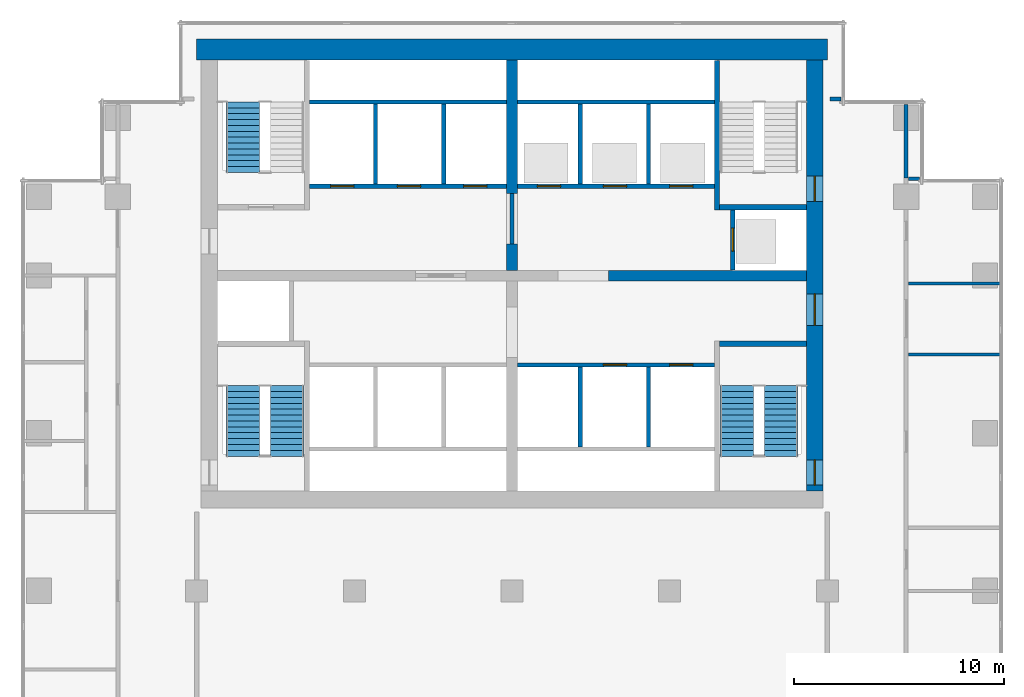
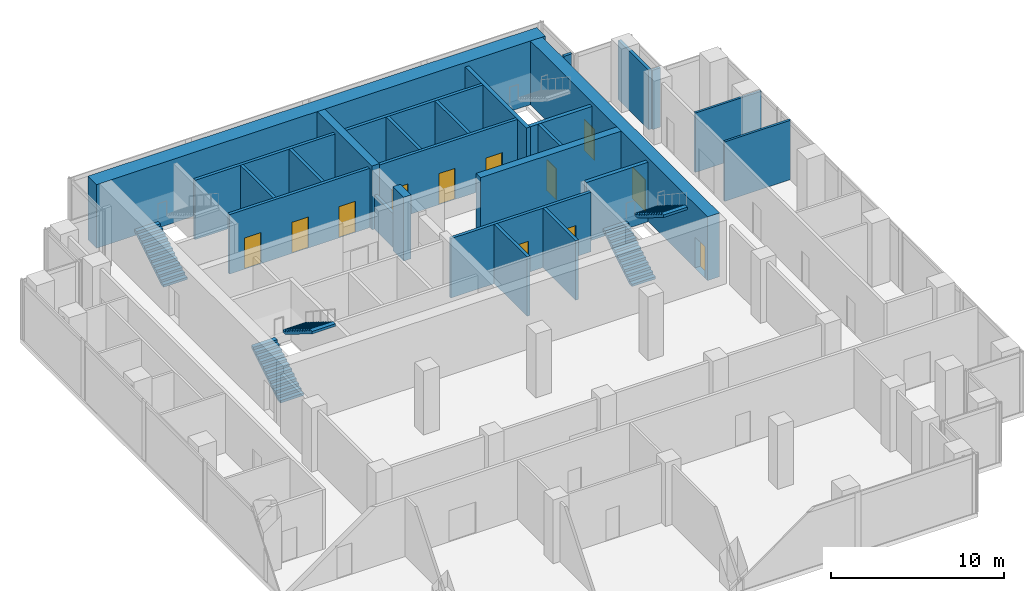
# One storey, part 5 of 8: 26 walls, 12 doors, 5 stair flights, 12 openings, 3 elements without a shape of their own.
"""IFC4 building model written with IfcOpenShell, lengths in metres."""

from ifc_helpers import new_model, si_unit, direction, frame, frame_2d, origin, place, context, subcontext, project, spatial, polyline, rectangle, outline, extrude, material, layer, layer_set, type_object, element, fill, aggregate, save


model = new_model("IFC4")

# Units and contexts
model_context = context("Model", 3, precision=1e-05, world=origin(), true_north=direction((0.0, 1.0)))
body_context = subcontext(model_context, "Body", "Model", "MODEL_VIEW")
ifc_project = project(units=[si_unit("LENGTHUNIT", "METRE"), si_unit("AREAUNIT", "SQUARE_METRE"), si_unit("VOLUMEUNIT", "CUBIC_METRE"), si_unit("PLANEANGLEUNIT", "RADIAN"), si_unit("MASSUNIT", "GRAM", prefix="KILO")], contexts=[model_context])

# Site, building, storey
site_placement = place(None, origin())
site = spatial("IfcSite", under=ifc_project, at=site_placement, CompositionType="ELEMENT")
building_placement = place(site_placement, origin())
building = spatial("IfcBuilding", under=site, at=building_placement, Name="Pilkhan Gate Tower", CompositionType="ELEMENT")
storey_placement = place(building_placement, frame((0.0, 0.0, 143.199951171875)))
storey = spatial("IfcBuildingStorey", under=building, at=storey_placement, Name="L36", CompositionType="ELEMENT", Elevation=143.199951171875)

# Wall
ifc_material_1 = material(Name="Concrete C60/75", Category="concrete")
ifc_layer_1 = layer(ifc_material_1, 1.0)
ifc_layer_set_1 = layer_set([ifc_layer_1], Name="Core wall CW1000 C60/75")
wall_type_1 = type_object("IfcWallType", Name="Core wall CW1000 C60/75", PredefinedType="SHEAR", material=ifc_layer_set_1)
wall_1_placement = place(storey_placement, frame((90.0, 93.25, 0.0), z_axis=(0.0, 0.0, 1.0), x_axis=(-1.0, 0.0, 0.0)))
element("IfcWall", 1, at=wall_1_placement, inside=storey, type_object=wall_type_1, Name="Core wall N L36", PredefinedType="SHEAR", context=body_context, shape_type="SweptSolid", body=[
    extrude(rectangle(XDim=30.0, YDim=1.0, at=frame_2d((15.0, 0.0))), origin(), (0.0, 0.0, 1.0), 4.5),
])

# Wall, openings, doors
ifc_layer_2 = layer(ifc_material_1, 0.800048828125)
ifc_layer_set_2 = layer_set([ifc_layer_2], Name="Core wall CW800 C60/75")
wall_type_2 = type_object("IfcWallType", Name="Core wall CW800 C60/75", PredefinedType="SHEAR", material=ifc_layer_set_2)
wall_2_placement = place(storey_placement, frame((89.39990234375, 72.25, 0.0), z_axis=(0.0, 0.0, 1.0), x_axis=(0.0, 1.0, 0.0)))
wall_2 = element("IfcWall", 2, at=wall_2_placement, inside=storey, type_object=wall_type_2, Name="Core wall E L36", PredefinedType="SHEAR", context=body_context, shape_type="SweptSolid", body=[
    extrude(rectangle(XDim=20.5, YDim=0.800048828125, at=frame_2d((10.25, 0.0))), origin(), (0.0, 0.0, 1.0), 4.5),
])
opening_1_placement = place(wall_2_placement, frame((0.27490234375, 0.0, 0.0)))
opening_1 = element("IfcOpeningElement", 3, at=opening_1_placement, cuts=wall_2, Name="Opening L36-03", PredefinedType="OPENING", context=body_context, shape_type="SweptSolid", body=[
    extrude(rectangle(XDim=1.199951171875, YDim=2.199951171875, at=frame_2d((0.60009765625, 1.10009765625))), frame((0.0, 0.409912109375, 0.0), z_axis=(0.0, -1.0, 0.0), x_axis=(1.0, 0.0, 0.0)), (0.0, 0.0, 1.0), 0.820068359375),
])
opening_2_placement = place(wall_2_placement, frame((13.77490234375, 0.0, 0.0)))
opening_2 = element("IfcOpeningElement", 4, at=opening_2_placement, cuts=wall_2, Name="Opening L36-05", PredefinedType="OPENING", context=body_context, shape_type="SweptSolid", body=[
    extrude(rectangle(XDim=1.199951171875, YDim=2.199951171875, at=frame_2d((0.60009765625, 1.10009765625))), frame((0.0, 0.409912109375, 0.0), z_axis=(0.0, -1.0, 0.0), x_axis=(1.0, 0.0, 0.0)), (0.0, 0.0, 1.0), 0.820068359375),
])
opening_3_placement = place(wall_2_placement, frame((7.875, 0.0, 0.0)))
opening_3 = element("IfcOpeningElement", 5, at=opening_3_placement, cuts=wall_2, Name="Opening L36-07", PredefinedType="OPENING", context=body_context, shape_type="SweptSolid", body=[
    extrude(rectangle(XDim=1.5, YDim=2.199951171875, at=frame_2d((0.75, 1.10009765625))), frame((0.0, 0.409912109375, 0.0), z_axis=(0.0, -1.0, 0.0), x_axis=(1.0, 0.0, 0.0)), (0.0, 0.0, 1.0), 0.820068359375),
])
ifc_material_2 = material(Name="Steel framed glazed door, 60 minute fire resisting", Category="steel")
door_type_1 = type_object("IfcDoorType", Name="Lobby door D09 1500x2200", OperationType="DOUBLE_DOOR_SINGLE_SWING", PredefinedType="DOOR", material=ifc_material_2)
door_1_placement = place(opening_3_placement, origin())
door_1 = element("IfcDoor", 6, at=door_1_placement, inside=storey, type_object=door_type_1, Name="Core door", OperationType="DOUBLE_DOOR_SINGLE_SWING", OverallHeight=2.199951171875, OverallWidth=1.5, PredefinedType="DOOR", context=body_context, shape_type="SweptSolid", body=[
    extrude(rectangle(XDim=1.5, YDim=2.199951171875, at=frame_2d((0.75, 1.10009765625))), frame((0.0, 0.02490234375, 0.0), z_axis=(0.0, -1.0, 0.0), x_axis=(1.0, 0.0, 0.0)), (0.0, 0.0, 1.0), 0.050048828125),
])
fill(opening_3, door_1)
ifc_material_3 = material(Name="Steel door, 120 minute fire resisting, panic bar", Category="steel")
door_type_2 = type_object("IfcDoorType", Name="Stair door D11 1200x2200", OperationType="SINGLE_SWING_LEFT", PredefinedType="DOOR", material=ifc_material_3)
door_2_placement = place(opening_1_placement, origin())
door_2 = element("IfcDoor", 7, at=door_2_placement, inside=storey, type_object=door_type_2, Name="Stair ST1 door", OperationType="SINGLE_SWING_LEFT", OverallHeight=2.199951171875, OverallWidth=1.199951171875, PredefinedType="DOOR", context=body_context, shape_type="SweptSolid", body=[
    extrude(rectangle(XDim=1.199951171875, YDim=2.199951171875, at=frame_2d((0.60009765625, 1.10009765625))), frame((0.0, 0.02490234375, 0.0), z_axis=(0.0, -1.0, 0.0), x_axis=(1.0, 0.0, 0.0)), (0.0, 0.0, 1.0), 0.050048828125),
])
fill(opening_1, door_2)
door_3_placement = place(opening_2_placement, origin())
door_3 = element("IfcDoor", 8, at=door_3_placement, inside=storey, type_object=door_type_2, Name="Stair ST4 door", OperationType="SINGLE_SWING_RIGHT", OverallHeight=2.199951171875, OverallWidth=1.199951171875, PredefinedType="DOOR", context=body_context, shape_type="SweptSolid", body=[
    extrude(rectangle(XDim=1.199951171875, YDim=2.199951171875, at=frame_2d((0.60009765625, 1.10009765625))), frame((0.0, 0.02490234375, 0.0), z_axis=(0.0, -1.0, 0.0), x_axis=(1.0, 0.0, 0.0)), (0.0, 0.0, 1.0), 0.050048828125),
])
fill(opening_2, door_3)

# Walls
ifc_material_4 = material(Name="Dense blockwork", Category="masonry")
ifc_layer_3 = layer(ifc_material_4, 0.199951171875)
ifc_layer_set_3 = layer_set([ifc_layer_3], Name="Corridor wall FW200")
wall_type_3 = type_object("IfcWallType", Name="Corridor wall FW200", PredefinedType="PARTITIONING", material=ifc_layer_set_3)
wall_3_placement = place(storey_placement, frame((90.1201171875, 90.89990234375, 0.0), z_axis=(0.0, 0.0, 1.0), x_axis=(1.0, 0.0, 0.0)))
element("IfcWall", 9, at=wall_3_placement, inside=storey, type_object=wall_type_3, Name="Partition L36", PredefinedType="PARTITIONING", context=body_context, shape_type="SweptSolid", body=[
    extrude(rectangle(XDim=0.52490234375, YDim=0.199951171875, at=frame_2d((0.262451171875, 0.0))), origin(), (0.0, 0.0, 1.0), 4.199951171875),
])
wall_4_placement = place(storey_placement, frame((93.75, 87.1298828125, 0.0), z_axis=(0.0, 0.0, 1.0), x_axis=(0.0, 1.0, 0.0)))
element("IfcWall", 10, at=wall_4_placement, inside=storey, type_object=wall_type_3, Name="Partition L36", PredefinedType="PARTITIONING", context=body_context, shape_type="SweptSolid", body=[
    extrude(rectangle(XDim=3.51513671875, YDim=0.199951171875, at=frame_2d((1.757568359375, 0.0))), origin(), (0.0, 0.0, 1.0), 4.199951171875),
])
ifc_layer_4 = layer(ifc_material_4, 0.199951171875)
ifc_layer_set_4 = layer_set([ifc_layer_4], Name="Lobby wall LW200")
wall_type_4 = type_object("IfcWallType", Name="Lobby wall LW200", PredefinedType="PARTITIONING", material=ifc_layer_set_4)
wall_5_placement = place(storey_placement, frame((75.0, 84.010009765625, 0.0), z_axis=(0.0, 0.0, 1.0), x_axis=(0.0, 1.0, 0.0)))
element("IfcWall", 11, at=wall_5_placement, inside=storey, type_object=wall_type_4, Name="Partition L36", PredefinedType="PARTITIONING", context=body_context, shape_type="SweptSolid", body=[
    extrude(rectangle(XDim=2.3798828125, YDim=0.199951171875, at=frame_2d((1.18994140625, 0.0))), origin(), (0.0, 0.0, 1.0), 2.400146484375),
])
ifc_material_5 = material(Name="Blockwork partition, plastered both sides", Category="masonry")
ifc_layer_5 = layer(ifc_material_5, 0.14990234375)
ifc_layer_set_5 = layer_set([ifc_layer_5], Name="Partition PW150")
wall_type_5 = type_object("IfcWallType", Name="Partition PW150", PredefinedType="PARTITIONING", material=ifc_layer_set_5)
for number, where, z_axis, x_axis, name in (
    (12, (93.85009765625, 78.75, 0.0), (0.0, 0.0, 1.0), (1.0, 0.0, 0.0), "Partition L36"),
    (13, (93.85009765625, 82.125, 0.0), (0.0, 0.0, 1.0), (1.0, 0.0, 0.0), "Partition L36"),
):
    element("IfcWall", number, at=place(storey_placement, frame(where, z_axis=z_axis, x_axis=x_axis)), inside=storey, type_object=wall_type_5, Name=name, PredefinedType="PARTITIONING", context=body_context, shape_type="SweptSolid", body=[
        extrude(rectangle(XDim=4.414794921875, YDim=0.14990234375, at=frame_2d((2.20751953125, 0.0))), origin(), (0.0, 0.0, 1.0), 4.199951171875),
    ])
wall_6_placement = place(storey_placement, frame((93.85009765625, 87.10009765625, 0.0), z_axis=(0.0, 0.0, 1.0), x_axis=(1.0, 0.0, 0.0)))
element("IfcWall", 14, at=wall_6_placement, inside=storey, type_object=wall_type_5, Name="Partition L36", PredefinedType="PARTITIONING", context=body_context, shape_type="SweptSolid", body=[
    extrude(rectangle(XDim=0.544921875, YDim=0.14990234375, at=frame_2d((0.2724609375, 0.0))), origin(), (0.0, 0.0, 1.0), 4.199951171875),
])

# Wall, openings, doors
ifc_material_6 = material(Name="Reinforced blockwork shaft wall, 120 minute fire resisting", Category="masonry")
ifc_layer_6 = layer(ifc_material_6, 0.199951171875)
ifc_layer_set_6 = layer_set([ifc_layer_6], Name="Shaft wall SW200")
wall_type_6 = type_object("IfcWallType", Name="Shaft wall SW200", PredefinedType="PARTITIONING", material=ifc_layer_set_6)
wall_7_placement = place(storey_placement, frame((75.260009765625, 78.25, 0.0), z_axis=(0.0, 0.0, 1.0), x_axis=(1.0, 0.0, 0.0)))
wall_7 = element("IfcWall", 15, at=wall_7_placement, inside=storey, type_object=wall_type_6, Name="Partition L36", PredefinedType="PARTITIONING", context=body_context, shape_type="SweptSolid", body=[
    extrude(rectangle(XDim=9.364990234375, YDim=0.199951171875, at=frame_2d((4.6826171875, 0.0))), origin(), (0.0, 0.0, 1.0), 4.199951171875),
])
opening_4_placement = place(wall_7_placement, frame((4.090087890625, 0.0, 0.0)))
opening_4 = element("IfcOpeningElement", 16, at=opening_4_placement, cuts=wall_7, Name="Opening LD", PredefinedType="OPENING", context=body_context, shape_type="SweptSolid", body=[
    extrude(rectangle(XDim=1.10009765625, YDim=2.199951171875, at=frame_2d((0.550048828125, 1.10009765625))), frame((0.0, 0.10986328125, 0.0), z_axis=(0.0, -1.0, 0.0), x_axis=(1.0, 0.0, 0.0)), (0.0, 0.0, 1.0), 0.219970703125),
])
opening_5_placement = place(wall_7_placement, frame((7.239990234375, 0.0, 0.0)))
opening_5 = element("IfcOpeningElement", 17, at=opening_5_placement, cuts=wall_7, Name="Opening LD", PredefinedType="OPENING", context=body_context, shape_type="SweptSolid", body=[
    extrude(rectangle(XDim=1.10009765625, YDim=2.199951171875, at=frame_2d((0.550048828125, 1.10009765625))), frame((0.0, 0.10986328125, 0.0), z_axis=(0.0, -1.0, 0.0), x_axis=(1.0, 0.0, 0.0)), (0.0, 0.0, 1.0), 0.219970703125),
])
ifc_material_7 = material(Name="Stainless steel centre-opening landing door, 120 minute fire resisting", Category="steel")
door_type_3 = type_object("IfcDoorType", Name="Lift landing door LD 1100x2200", OperationType="DOUBLE_DOOR_SLIDING", PredefinedType="DOOR", material=ifc_material_7)
door_4_placement = place(opening_4_placement, origin())
door_4 = element("IfcDoor", 18, at=door_4_placement, inside=storey, type_object=door_type_3, Name="Landing door SH1", OperationType="DOUBLE_DOOR_SLIDING", OverallHeight=2.199951171875, OverallWidth=1.10009765625, PredefinedType="DOOR", context=body_context, shape_type="SweptSolid", body=[
    extrude(rectangle(XDim=1.10009765625, YDim=2.199951171875, at=frame_2d((0.550048828125, 1.10009765625))), frame((0.0, 0.02490234375, 0.0), z_axis=(0.0, -1.0, 0.0), x_axis=(1.0, 0.0, 0.0)), (0.0, 0.0, 1.0), 0.050048828125),
])
fill(opening_4, door_4)
door_5_placement = place(opening_5_placement, origin())
door_5 = element("IfcDoor", 19, at=door_5_placement, inside=storey, type_object=door_type_3, Name="Landing door SH2", OperationType="DOUBLE_DOOR_SLIDING", OverallHeight=2.199951171875, OverallWidth=1.10009765625, PredefinedType="DOOR", context=body_context, shape_type="SweptSolid", body=[
    extrude(rectangle(XDim=1.10009765625, YDim=2.199951171875, at=frame_2d((0.550048828125, 1.10009765625))), frame((0.0, 0.02490234375, 0.0), z_axis=(0.0, -1.0, 0.0), x_axis=(1.0, 0.0, 0.0)), (0.0, 0.0, 1.0), 0.050048828125),
])
fill(opening_5, door_5)

wall_8_placement = place(storey_placement, frame((65.375, 86.75, 0.0), z_axis=(0.0, 0.0, 1.0), x_axis=(1.0, 0.0, 0.0)))
wall_8 = element("IfcWall", 20, at=wall_8_placement, inside=storey, type_object=wall_type_6, Name="Partition L36", PredefinedType="PARTITIONING", context=body_context, shape_type="SweptSolid", body=[
    extrude(rectangle(XDim=9.364990234375, YDim=0.199951171875, at=frame_2d((4.6826171875, 0.0))), origin(), (0.0, 0.0, 1.0), 4.199951171875),
])
opening_6_placement = place(wall_8_placement, frame((1.0, 0.0, 0.0)))
opening_6 = element("IfcOpeningElement", 21, at=opening_6_placement, cuts=wall_8, Name="Opening LD", PredefinedType="OPENING", context=body_context, shape_type="SweptSolid", body=[
    extrude(rectangle(XDim=1.10009765625, YDim=2.199951171875, at=frame_2d((0.550048828125, 1.10009765625))), frame((0.0, 0.10986328125, 0.0), z_axis=(0.0, -1.0, 0.0), x_axis=(1.0, 0.0, 0.0)), (0.0, 0.0, 1.0), 0.219970703125),
])
opening_7_placement = place(wall_8_placement, frame((4.175048828125, 0.0, 0.0)))
opening_7 = element("IfcOpeningElement", 22, at=opening_7_placement, cuts=wall_8, Name="Opening LD", PredefinedType="OPENING", context=body_context, shape_type="SweptSolid", body=[
    extrude(rectangle(XDim=1.10009765625, YDim=2.199951171875, at=frame_2d((0.550048828125, 1.10009765625))), frame((0.0, 0.10986328125, 0.0), z_axis=(0.0, -1.0, 0.0), x_axis=(1.0, 0.0, 0.0)), (0.0, 0.0, 1.0), 0.219970703125),
])
opening_8_placement = place(wall_8_placement, frame((7.324951171875, 0.0, 0.0)))
opening_8 = element("IfcOpeningElement", 23, at=opening_8_placement, cuts=wall_8, Name="Opening LD", PredefinedType="OPENING", context=body_context, shape_type="SweptSolid", body=[
    extrude(rectangle(XDim=1.10009765625, YDim=2.199951171875, at=frame_2d((0.550048828125, 1.10009765625))), frame((0.0, 0.10986328125, 0.0), z_axis=(0.0, -1.0, 0.0), x_axis=(1.0, 0.0, 0.0)), (0.0, 0.0, 1.0), 0.219970703125),
])
door_6_placement = place(opening_6_placement, origin())
door_6 = element("IfcDoor", 24, at=door_6_placement, inside=storey, type_object=door_type_3, Name="Landing door FF1", OperationType="DOUBLE_DOOR_SLIDING", OverallHeight=2.199951171875, OverallWidth=1.10009765625, PredefinedType="DOOR", context=body_context, shape_type="SweptSolid", body=[
    extrude(rectangle(XDim=1.10009765625, YDim=2.199951171875, at=frame_2d((0.550048828125, 1.10009765625))), frame((0.0, 0.02490234375, 0.0), z_axis=(0.0, -1.0, 0.0), x_axis=(1.0, 0.0, 0.0)), (0.0, 0.0, 1.0), 0.050048828125),
])
fill(opening_6, door_6)
door_7_placement = place(opening_7_placement, origin())
door_7 = element("IfcDoor", 25, at=door_7_placement, inside=storey, type_object=door_type_3, Name="Landing door FF2", OperationType="DOUBLE_DOOR_SLIDING", OverallHeight=2.199951171875, OverallWidth=1.10009765625, PredefinedType="DOOR", context=body_context, shape_type="SweptSolid", body=[
    extrude(rectangle(XDim=1.10009765625, YDim=2.199951171875, at=frame_2d((0.550048828125, 1.10009765625))), frame((0.0, 0.02490234375, 0.0), z_axis=(0.0, -1.0, 0.0), x_axis=(1.0, 0.0, 0.0)), (0.0, 0.0, 1.0), 0.050048828125),
])
fill(opening_7, door_7)
door_8_placement = place(opening_8_placement, origin())
door_8 = element("IfcDoor", 26, at=door_8_placement, inside=storey, type_object=door_type_3, Name="Landing door SV1", OperationType="DOUBLE_DOOR_SLIDING", OverallHeight=2.199951171875, OverallWidth=1.10009765625, PredefinedType="DOOR", context=body_context, shape_type="SweptSolid", body=[
    extrude(rectangle(XDim=1.10009765625, YDim=2.199951171875, at=frame_2d((0.550048828125, 1.10009765625))), frame((0.0, 0.02490234375, 0.0), z_axis=(0.0, -1.0, 0.0), x_axis=(1.0, 0.0, 0.0)), (0.0, 0.0, 1.0), 0.050048828125),
])
fill(opening_8, door_8)

wall_9_placement = place(storey_placement, frame((75.260009765625, 86.75, 0.0), z_axis=(0.0, 0.0, 1.0), x_axis=(1.0, 0.0, 0.0)))
wall_9 = element("IfcWall", 27, at=wall_9_placement, inside=storey, type_object=wall_type_6, Name="Partition L36", PredefinedType="PARTITIONING", context=body_context, shape_type="SweptSolid", body=[
    extrude(rectangle(XDim=9.364990234375, YDim=0.199951171875, at=frame_2d((4.6826171875, 0.0))), origin(), (0.0, 0.0, 1.0), 4.199951171875),
])
opening_9_placement = place(wall_9_placement, frame((0.949951171875, 0.0, 0.0)))
opening_9 = element("IfcOpeningElement", 28, at=opening_9_placement, cuts=wall_9, Name="Opening LD", PredefinedType="OPENING", context=body_context, shape_type="SweptSolid", body=[
    extrude(rectangle(XDim=1.10009765625, YDim=2.199951171875, at=frame_2d((0.550048828125, 1.10009765625))), frame((0.0, 0.10986328125, 0.0), z_axis=(0.0, -1.0, 0.0), x_axis=(1.0, 0.0, 0.0)), (0.0, 0.0, 1.0), 0.219970703125),
])
opening_10_placement = place(wall_9_placement, frame((4.090087890625, 0.0, 0.0)))
opening_10 = element("IfcOpeningElement", 29, at=opening_10_placement, cuts=wall_9, Name="Opening LD", PredefinedType="OPENING", context=body_context, shape_type="SweptSolid", body=[
    extrude(rectangle(XDim=1.10009765625, YDim=2.199951171875, at=frame_2d((0.550048828125, 1.10009765625))), frame((0.0, 0.10986328125, 0.0), z_axis=(0.0, -1.0, 0.0), x_axis=(1.0, 0.0, 0.0)), (0.0, 0.0, 1.0), 0.219970703125),
])
opening_11_placement = place(wall_9_placement, frame((7.239990234375, 0.0, 0.0)))
opening_11 = element("IfcOpeningElement", 30, at=opening_11_placement, cuts=wall_9, Name="Opening LD", PredefinedType="OPENING", context=body_context, shape_type="SweptSolid", body=[
    extrude(rectangle(XDim=1.10009765625, YDim=2.199951171875, at=frame_2d((0.550048828125, 1.10009765625))), frame((0.0, 0.10986328125, 0.0), z_axis=(0.0, -1.0, 0.0), x_axis=(1.0, 0.0, 0.0)), (0.0, 0.0, 1.0), 0.219970703125),
])
door_9_placement = place(opening_9_placement, origin())
door_9 = element("IfcDoor", 31, at=door_9_placement, inside=storey, type_object=door_type_3, Name="Landing door HR1", OperationType="DOUBLE_DOOR_SLIDING", OverallHeight=2.199951171875, OverallWidth=1.10009765625, PredefinedType="DOOR", context=body_context, shape_type="SweptSolid", body=[
    extrude(rectangle(XDim=1.10009765625, YDim=2.199951171875, at=frame_2d((0.550048828125, 1.10009765625))), frame((0.0, 0.02490234375, 0.0), z_axis=(0.0, -1.0, 0.0), x_axis=(1.0, 0.0, 0.0)), (0.0, 0.0, 1.0), 0.050048828125),
])
fill(opening_9, door_9)
door_10_placement = place(opening_10_placement, origin())
door_10 = element("IfcDoor", 32, at=door_10_placement, inside=storey, type_object=door_type_3, Name="Landing door HR2", OperationType="DOUBLE_DOOR_SLIDING", OverallHeight=2.199951171875, OverallWidth=1.10009765625, PredefinedType="DOOR", context=body_context, shape_type="SweptSolid", body=[
    extrude(rectangle(XDim=1.10009765625, YDim=2.199951171875, at=frame_2d((0.550048828125, 1.10009765625))), frame((0.0, 0.02490234375, 0.0), z_axis=(0.0, -1.0, 0.0), x_axis=(1.0, 0.0, 0.0)), (0.0, 0.0, 1.0), 0.050048828125),
])
fill(opening_10, door_10)
door_11_placement = place(opening_11_placement, origin())
door_11 = element("IfcDoor", 33, at=door_11_placement, inside=storey, type_object=door_type_3, Name="Landing door HR3", OperationType="DOUBLE_DOOR_SLIDING", OverallHeight=2.199951171875, OverallWidth=1.10009765625, PredefinedType="DOOR", context=body_context, shape_type="SweptSolid", body=[
    extrude(rectangle(XDim=1.10009765625, YDim=2.199951171875, at=frame_2d((0.550048828125, 1.10009765625))), frame((0.0, 0.02490234375, 0.0), z_axis=(0.0, -1.0, 0.0), x_axis=(1.0, 0.0, 0.0)), (0.0, 0.0, 1.0), 0.050048828125),
])
fill(opening_11, door_11)

# Walls
for number, where, z_axis, x_axis, name in (
    (34, (65.375, 90.75, 0.0), (0.0, 0.0, 1.0), (1.0, 0.0, 0.0), "Partition L36"),
    (35, (75.260009765625, 90.75, 0.0), (0.0, 0.0, 1.0), (1.0, 0.0, 0.0), "Partition L36"),
):
    element("IfcWall", number, at=place(storey_placement, frame(where, z_axis=z_axis, x_axis=x_axis)), inside=storey, type_object=wall_type_6, Name=name, PredefinedType="PARTITIONING", context=body_context, shape_type="SweptSolid", body=[
        extrude(rectangle(XDim=9.364990234375, YDim=0.199951171875, at=frame_2d((4.6826171875, 0.0))), origin(), (0.0, 0.0, 1.0), 4.199951171875),
    ])
for number, where, z_axis, x_axis, name in (
    (36, (68.5, 86.85009765625, 0.0), (0.0, 0.0, 1.0), (0.0, 1.0, 0.0), "Partition L36"),
    (37, (71.75, 86.85009765625, 0.0), (0.0, 0.0, 1.0), (0.0, 1.0, 0.0), "Partition L36"),
    (38, (78.25, 74.35009765625, 0.0), (0.0, 0.0, 1.0), (0.0, 1.0, 0.0), "Partition L36"),
    (39, (78.25, 86.85009765625, 0.0), (0.0, 0.0, 1.0), (0.0, 1.0, 0.0), "Partition L36"),
    (40, (81.5, 74.35009765625, 0.0), (0.0, 0.0, 1.0), (0.0, 1.0, 0.0), "Partition L36"),
    (41, (81.5, 86.85009765625, 0.0), (0.0, 0.0, 1.0), (0.0, 1.0, 0.0), "Partition L36"),
):
    element("IfcWall", number, at=place(storey_placement, frame(where, z_axis=z_axis, x_axis=x_axis)), inside=storey, type_object=wall_type_6, Name=name, PredefinedType="PARTITIONING", context=body_context, shape_type="SweptSolid", body=[
        extrude(rectangle(XDim=3.7998046875, YDim=0.199951171875, at=frame_2d((1.89990234375, 0.0))), origin(), (0.0, 0.0, 1.0), 4.199951171875),
    ])

# Wall, opening, door
wall_10_placement = place(storey_placement, frame((85.5, 82.760009765625, 0.0), z_axis=(0.0, 0.0, 1.0), x_axis=(0.0, 1.0, 0.0)))
wall_10 = element("IfcWall", 42, at=wall_10_placement, inside=storey, type_object=wall_type_6, Name="Partition L36", PredefinedType="PARTITIONING", context=body_context, shape_type="SweptSolid", body=[
    extrude(rectangle(XDim=2.864990234375, YDim=0.199951171875, at=frame_2d((1.4326171875, 0.0))), origin(), (0.0, 0.0, 1.0), 4.199951171875),
])
opening_12_placement = place(wall_10_placement, frame((0.89990234375, 0.0, 0.0)))
opening_12 = element("IfcOpeningElement", 43, at=opening_12_placement, cuts=wall_10, Name="Opening LD", PredefinedType="OPENING", context=body_context, shape_type="SweptSolid", body=[
    extrude(rectangle(XDim=1.10009765625, YDim=2.199951171875, at=frame_2d((0.550048828125, 1.10009765625))), frame((0.0, 0.10986328125, 0.0), z_axis=(0.0, -1.0, 0.0), x_axis=(1.0, 0.0, 0.0)), (0.0, 0.0, 1.0), 0.219970703125),
])
door_12_placement = place(opening_12_placement, origin())
door_12 = element("IfcDoor", 44, at=door_12_placement, inside=storey, type_object=door_type_3, Name="Landing door HR4", OperationType="DOUBLE_DOOR_SLIDING", OverallHeight=2.199951171875, OverallWidth=1.10009765625, PredefinedType="DOOR", context=body_context, shape_type="SweptSolid", body=[
    extrude(rectangle(XDim=1.10009765625, YDim=2.199951171875, at=frame_2d((0.550048828125, 1.10009765625))), frame((0.0, 0.02490234375, 0.0), z_axis=(0.0, -1.0, 0.0), x_axis=(1.0, 0.0, 0.0)), (0.0, 0.0, 1.0), 0.050048828125),
])
fill(opening_12, door_12)

# Walls
ifc_layer_7 = layer(ifc_material_1, 0.5)
ifc_layer_set_7 = layer_set([ifc_layer_7], Name="Spine wall SW500 C60/75")
wall_type_7 = type_object("IfcWallType", Name="Spine wall SW500 C60/75", PredefinedType="SHEAR", material=ifc_layer_set_7)
wall_11_placement = place(storey_placement, frame((79.60009765625, 82.5, 0.0), z_axis=(0.0, 0.0, 1.0), x_axis=(1.0, 0.0, 0.0)))
element("IfcWall", 45, at=wall_11_placement, inside=storey, type_object=wall_type_7, Name="Spine wall SP-EW3 L36", PredefinedType="SHEAR", context=body_context, shape_type="SweptSolid", body=[
    extrude(rectangle(XDim=9.39990234375, YDim=0.5, at=frame_2d((4.699951171875, 0.0))), origin(), (0.0, 0.0, 1.0), 4.5),
])
wall_12_placement = place(storey_placement, frame((75.0, 82.75, 0.0), z_axis=(0.0, 0.0, 1.0), x_axis=(0.0, 1.0, 0.0)))
element("IfcWall", 46, at=wall_12_placement, inside=storey, type_object=wall_type_7, Name="Spine wall SP-NS-N1 L36", PredefinedType="SHEAR", context=body_context, shape_type="SweptSolid", body=[
    extrude(rectangle(XDim=1.25, YDim=0.5, at=frame_2d((0.625, 0.0))), origin(), (0.0, 0.0, 1.0), 4.5),
])
wall_13_placement = place(storey_placement, frame((75.0, 86.39990234375, 0.0), z_axis=(0.0, 0.0, 1.0), x_axis=(0.0, 1.0, 0.0)))
element("IfcWall", 47, at=wall_13_placement, inside=storey, type_object=wall_type_7, Name="Spine wall SP-NS-N2 L36", PredefinedType="SHEAR", context=body_context, shape_type="SweptSolid", body=[
    extrude(rectangle(XDim=6.35009765625, YDim=0.5, at=frame_2d((3.175048828125, 0.0))), origin(), (0.0, 0.0, 1.0), 4.5),
])
ifc_material_8 = material(Name="Reinforced blockwork, 120 minute fire resisting", Category="masonry")
ifc_layer_8 = layer(ifc_material_8, 0.25)
ifc_layer_set_8 = layer_set([ifc_layer_8], Name="Stair enclosure wall SE250")
wall_type_8 = type_object("IfcWallType", Name="Stair enclosure wall SE250", PredefinedType="PARTITIONING", material=ifc_layer_set_8)
for number, where, z_axis, x_axis, name in (
    (48, (84.875, 79.25, 0.0), (0.0, 0.0, 1.0), (1.0, 0.0, 0.0), "Partition L36"),
    (49, (84.875, 85.75, 0.0), (0.0, 0.0, 1.0), (1.0, 0.0, 0.0), "Partition L36"),
):
    element("IfcWall", number, at=place(storey_placement, frame(where, z_axis=z_axis, x_axis=x_axis)), inside=storey, type_object=wall_type_8, Name=name, PredefinedType="PARTITIONING", context=body_context, shape_type="SweptSolid", body=[
        extrude(rectangle(XDim=4.125, YDim=0.25, at=frame_2d((2.0625, 0.0))), origin(), (0.0, 0.0, 1.0), 4.199951171875),
    ])
wall_14_placement = place(storey_placement, frame((84.75, 85.625, 0.0), z_axis=(0.0, 0.0, 1.0), x_axis=(0.0, 1.0, 0.0)))
element("IfcWall", 50, at=wall_14_placement, inside=storey, type_object=wall_type_8, Name="Partition L36", PredefinedType="PARTITIONING", context=body_context, shape_type="SweptSolid", body=[
    extrude(rectangle(XDim=7.114990234375, YDim=0.25, at=frame_2d((3.5576171875, 0.0))), origin(), (0.0, 0.0, 1.0), 4.199951171875),
])

# Stair, stair flights
ifc_material_9 = material(Name="Concrete C40/50 precast", Category="concrete")
stair_type_1 = type_object("IfcStairType", Name="Stair ST1 173x280", PredefinedType="HALF_TURN_STAIR", material=ifc_material_9)
stair_1_placement = place(storey_placement, origin())
stair_1 = element("IfcStair", 51, at=stair_1_placement, inside=storey, type_object=stair_type_1, Name="Stair ST1 L36", PredefinedType="HALF_TURN_STAIR")
stair_flight_type_1 = type_object("IfcStairFlightType", Name="Stair flight ST1 173x280x13", PredefinedType="STRAIGHT", material=ifc_material_9)
stair_flight_1_placement = place(storey_placement, frame((85.68994140625, 73.89990234375, 0.0), z_axis=(0.0, 0.0, 1.0), x_axis=(0.0, 1.0, 0.0)))
stair_flight_1 = element("IfcStairFlight", 52, at=stair_flight_1_placement, type_object=stair_flight_type_1, Name="ST1 flight 1", NumberOfRisers=13, NumberOfTreads=12, PredefinedType="STRAIGHT", RiserHeight=0.173076923, TreadLength=0.28, context=body_context, shape_type="SweptSolid", body=[
    extrude(outline(polyline([(0.0, 0.0), (0.0, 0.173095703125), (0.280029296875, 0.173095703125), (0.280029296875, 0.34619140625), (0.56005859375, 0.34619140625), (0.56005859375, 0.519287109375), (0.840087890625, 0.519287109375), (0.840087890625, 0.6923828125), (1.1201171875, 0.6923828125), (1.1201171875, 0.865478515625), (1.39990234375, 0.865478515625), (1.39990234375, 1.03857421875), (1.679931640625, 1.03857421875), (1.679931640625, 1.21142578125), (1.9599609375, 1.21142578125), (1.9599609375, 1.384521484375), (2.239990234375, 1.384521484375), (2.239990234375, 1.5576171875), (2.52001953125, 1.5576171875), (2.52001953125, 1.730712890625), (2.800048828125, 1.730712890625), (2.800048828125, 1.90380859375), (3.080078125, 1.90380859375), (3.080078125, 2.076904296875), (3.360107421875, 2.076904296875), (3.360107421875, 2.25), (3.360107421875, 1.900634765625), (0.28515625, 0.0), (0.0, 0.0)])), frame((0.0, 0.7900390625, 0.0), z_axis=(0.0, -1.0, 0.0), x_axis=(1.0, 0.0, 0.0)), (0.0, 0.0, 1.0), 1.580078125),
])
stair_flight_2_placement = place(storey_placement, frame((87.81005859375, 77.260009765625, 2.25), z_axis=(0.0, 0.0, 1.0), x_axis=(0.0, -1.0, 0.0)))
stair_flight_2 = element("IfcStairFlight", 53, at=stair_flight_2_placement, type_object=stair_flight_type_1, Name="ST1 flight 2", NumberOfRisers=13, NumberOfTreads=12, PredefinedType="STRAIGHT", RiserHeight=0.173076923, TreadLength=0.28, context=body_context, shape_type="SweptSolid", body=[
    extrude(outline(polyline([(0.0, 0.0), (0.0, 0.173095703125), (0.280029296875, 0.173095703125), (0.280029296875, 0.34619140625), (0.56005859375, 0.34619140625), (0.56005859375, 0.519287109375), (0.840087890625, 0.519287109375), (0.840087890625, 0.6923828125), (1.1201171875, 0.6923828125), (1.1201171875, 0.865478515625), (1.39990234375, 0.865478515625), (1.39990234375, 1.03857421875), (1.679931640625, 1.03857421875), (1.679931640625, 1.21142578125), (1.9599609375, 1.21142578125), (1.9599609375, 1.384521484375), (2.239990234375, 1.384521484375), (2.239990234375, 1.5576171875), (2.52001953125, 1.5576171875), (2.52001953125, 1.730712890625), (2.800048828125, 1.730712890625), (2.800048828125, 1.90380859375), (3.080078125, 1.90380859375), (3.080078125, 2.076904296875), (3.360107421875, 2.076904296875), (3.360107421875, 2.25), (3.360107421875, 1.900634765625), (0.28515625, 0.0), (0.0, 0.0)])), frame((0.0, 0.7900390625, 0.0), z_axis=(0.0, -1.0, 0.0), x_axis=(1.0, 0.0, 0.0)), (0.0, 0.0, 1.0), 1.580078125),
])
aggregate(stair_1, [stair_flight_1, stair_flight_2])

stair_type_2 = type_object("IfcStairType", Name="Stair ST2 173x280", PredefinedType="HALF_TURN_STAIR", material=ifc_material_9)
stair_2_placement = place(storey_placement, origin())
stair_2 = element("IfcStair", 54, at=stair_2_placement, inside=storey, type_object=stair_type_2, Name="Stair ST2 L36", PredefinedType="HALF_TURN_STAIR")
stair_flight_type_2 = type_object("IfcStairFlightType", Name="Stair flight ST2 173x280x13", PredefinedType="STRAIGHT", material=ifc_material_9)
stair_flight_3_placement = place(storey_placement, frame((62.18994140625, 73.89990234375, 0.0), z_axis=(0.0, 0.0, 1.0), x_axis=(0.0, 1.0, 0.0)))
stair_flight_3 = element("IfcStairFlight", 55, at=stair_flight_3_placement, type_object=stair_flight_type_2, Name="ST2 flight 1", NumberOfRisers=13, NumberOfTreads=12, PredefinedType="STRAIGHT", RiserHeight=0.173076923, TreadLength=0.28, context=body_context, shape_type="SweptSolid", body=[
    extrude(outline(polyline([(0.0, 0.0), (0.0, 0.173095703125), (0.280029296875, 0.173095703125), (0.280029296875, 0.34619140625), (0.56005859375, 0.34619140625), (0.56005859375, 0.519287109375), (0.840087890625, 0.519287109375), (0.840087890625, 0.6923828125), (1.1201171875, 0.6923828125), (1.1201171875, 0.865478515625), (1.39990234375, 0.865478515625), (1.39990234375, 1.03857421875), (1.679931640625, 1.03857421875), (1.679931640625, 1.21142578125), (1.9599609375, 1.21142578125), (1.9599609375, 1.384521484375), (2.239990234375, 1.384521484375), (2.239990234375, 1.5576171875), (2.52001953125, 1.5576171875), (2.52001953125, 1.730712890625), (2.800048828125, 1.730712890625), (2.800048828125, 1.90380859375), (3.080078125, 1.90380859375), (3.080078125, 2.076904296875), (3.360107421875, 2.076904296875), (3.360107421875, 2.25), (3.360107421875, 1.900634765625), (0.28515625, 0.0), (0.0, 0.0)])), frame((0.0, 0.7900390625, 0.0), z_axis=(0.0, -1.0, 0.0), x_axis=(1.0, 0.0, 0.0)), (0.0, 0.0, 1.0), 1.580078125),
])
stair_flight_4_placement = place(storey_placement, frame((64.31005859375, 77.260009765625, 2.25), z_axis=(0.0, 0.0, 1.0), x_axis=(0.0, -1.0, 0.0)))
stair_flight_4 = element("IfcStairFlight", 56, at=stair_flight_4_placement, type_object=stair_flight_type_2, Name="ST2 flight 2", NumberOfRisers=13, NumberOfTreads=12, PredefinedType="STRAIGHT", RiserHeight=0.173076923, TreadLength=0.28, context=body_context, shape_type="SweptSolid", body=[
    extrude(outline(polyline([(0.0, 0.0), (0.0, 0.173095703125), (0.280029296875, 0.173095703125), (0.280029296875, 0.34619140625), (0.56005859375, 0.34619140625), (0.56005859375, 0.519287109375), (0.840087890625, 0.519287109375), (0.840087890625, 0.6923828125), (1.1201171875, 0.6923828125), (1.1201171875, 0.865478515625), (1.39990234375, 0.865478515625), (1.39990234375, 1.03857421875), (1.679931640625, 1.03857421875), (1.679931640625, 1.21142578125), (1.9599609375, 1.21142578125), (1.9599609375, 1.384521484375), (2.239990234375, 1.384521484375), (2.239990234375, 1.5576171875), (2.52001953125, 1.5576171875), (2.52001953125, 1.730712890625), (2.800048828125, 1.730712890625), (2.800048828125, 1.90380859375), (3.080078125, 1.90380859375), (3.080078125, 2.076904296875), (3.360107421875, 2.076904296875), (3.360107421875, 2.25), (3.360107421875, 1.900634765625), (0.28515625, 0.0), (0.0, 0.0)])), frame((0.0, 0.7900390625, 0.0), z_axis=(0.0, -1.0, 0.0), x_axis=(1.0, 0.0, 0.0)), (0.0, 0.0, 1.0), 1.580078125),
])
aggregate(stair_2, [stair_flight_3, stair_flight_4])

# Stair, stair flight
stair_type_3 = type_object("IfcStairType", Name="Stair ST3 173x280", PredefinedType="HALF_TURN_STAIR", material=ifc_material_9)
stair_3_placement = place(storey_placement, origin())
stair_3 = element("IfcStair", 57, at=stair_3_placement, inside=storey, type_object=stair_type_3, Name="Stair ST3 L36", PredefinedType="HALF_TURN_STAIR")
stair_flight_type_3 = type_object("IfcStairFlightType", Name="Stair flight ST3 173x280x13", PredefinedType="STRAIGHT", material=ifc_material_9)
stair_flight_5_placement = place(storey_placement, frame((62.18994140625, 87.39990234375, 0.0), z_axis=(0.0, 0.0, 1.0), x_axis=(0.0, 1.0, 0.0)))
stair_flight_5 = element("IfcStairFlight", 58, at=stair_flight_5_placement, type_object=stair_flight_type_3, Name="ST3 flight 1", NumberOfRisers=13, NumberOfTreads=12, PredefinedType="STRAIGHT", RiserHeight=0.173076923, TreadLength=0.28, context=body_context, shape_type="SweptSolid", body=[
    extrude(outline(polyline([(0.0, 0.0), (0.0, 0.173095703125), (0.280029296875, 0.173095703125), (0.280029296875, 0.34619140625), (0.56005859375, 0.34619140625), (0.56005859375, 0.519287109375), (0.840087890625, 0.519287109375), (0.840087890625, 0.6923828125), (1.1201171875, 0.6923828125), (1.1201171875, 0.865478515625), (1.39990234375, 0.865478515625), (1.39990234375, 1.03857421875), (1.679931640625, 1.03857421875), (1.679931640625, 1.21142578125), (1.9599609375, 1.21142578125), (1.9599609375, 1.384521484375), (2.239990234375, 1.384521484375), (2.239990234375, 1.5576171875), (2.52001953125, 1.5576171875), (2.52001953125, 1.730712890625), (2.800048828125, 1.730712890625), (2.800048828125, 1.90380859375), (3.080078125, 1.90380859375), (3.080078125, 2.076904296875), (3.360107421875, 2.076904296875), (3.360107421875, 2.25), (3.360107421875, 1.900634765625), (0.28515625, 0.0), (0.0, 0.0)])), frame((0.0, 0.7900390625, 0.0), z_axis=(0.0, -1.0, 0.0), x_axis=(1.0, 0.0, 0.0)), (0.0, 0.0, 1.0), 1.580078125),
])
aggregate(stair_3, [stair_flight_5])

save(model, "model.ifc")
